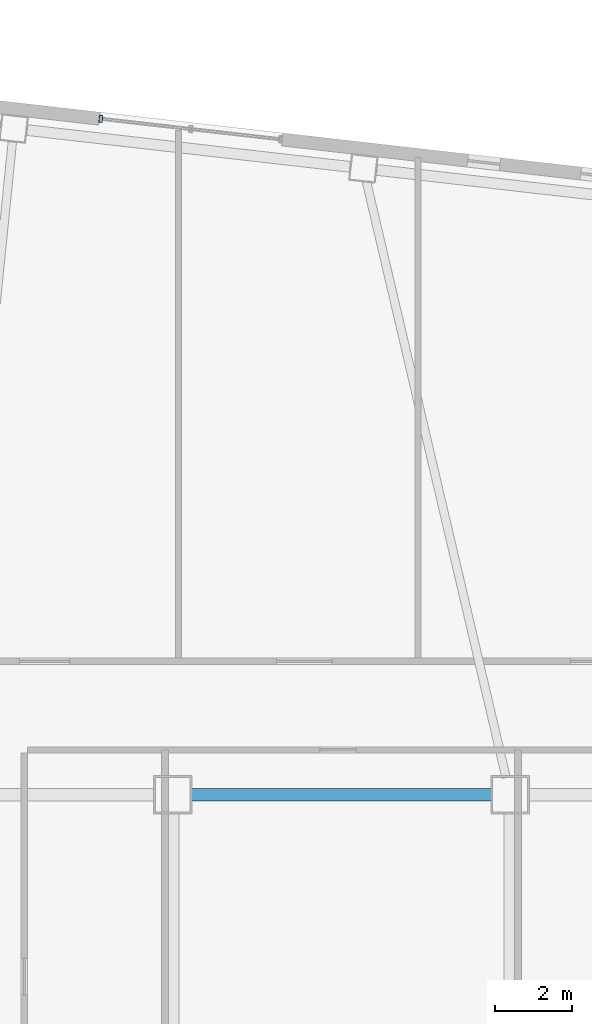
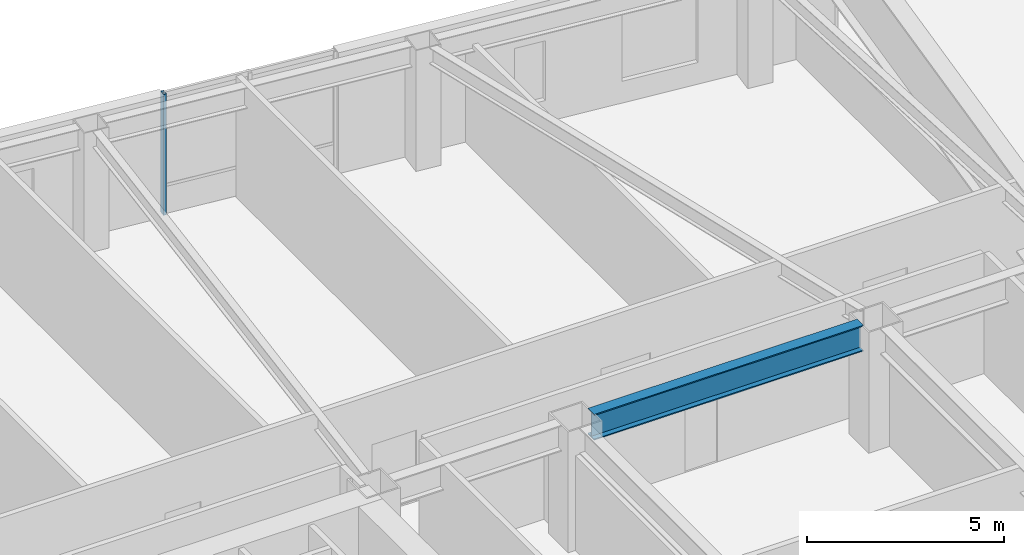
# One storey, part 8 of 23: 1 beam, 1 member, 1 element without a shape of its own.
"""IFC4 building model written with IfcOpenShell, lengths in metres."""

from ifc_helpers import new_model, si_unit, direction, frame, origin, origin_2d, place, context, subcontext, project, spatial, hollow_rectangle, i_section, extrude, material, layer, layer_set, material_profile, profile_set, type_object, element, aggregate, save


model = new_model("IFC4")

# Units and contexts
model_context = context("Model", 3, precision=1e-05, world=origin(), true_north=direction((0.0, 1.0)))
body_context = subcontext(model_context, "Body", "Model", "MODEL_VIEW")
ifc_project = project(units=[si_unit("LENGTHUNIT", "METRE"), si_unit("AREAUNIT", "SQUARE_METRE"), si_unit("VOLUMEUNIT", "CUBIC_METRE"), si_unit("PLANEANGLEUNIT", "RADIAN"), si_unit("MASSUNIT", "GRAM", prefix="KILO")], contexts=[model_context])

# Site, building, storey
site_placement = place(None, origin())
site = spatial("IfcSite", under=ifc_project, at=site_placement, CompositionType="ELEMENT")
building_placement = place(site_placement, origin())
building = spatial("IfcBuilding", under=site, at=building_placement, Name="Tavrogorsk Clinical Tower", CompositionType="ELEMENT")
storey_placement = place(building_placement, frame((0.0, 0.0, 113.39990234375)))
storey = spatial("IfcBuildingStorey", under=building, at=storey_placement, Name="L25", CompositionType="ELEMENT", Elevation=113.39990234375)

# Curtain wall, member
ifc_material_1 = material(Name="Anodised aluminium and triple IGU glazing", Category="aluminium")
ifc_layer = layer(ifc_material_1, 0.179931640625)
ifc_layer_set = layer_set([ifc_layer], Name="Anodised aluminium and triple IGU glazing")
curtain_wall_type = type_object("IfcCurtainWallType", Name="CW2_NorthSlot", PredefinedType="NOTDEFINED", material=ifc_layer_set)
curtain_wall_placement = place(storey_placement, origin())
curtain_wall = element("IfcCurtainWall", 1, at=curtain_wall_placement, inside=storey, type_object=curtain_wall_type, Name="L25 Curtain Wall CW-L25-N-SLOT-1", PredefinedType="NOTDEFINED")
ifc_material_2 = material(Name="Anodised aluminium alloy AW-6060", Category="aluminium")
ifc_material_profile_1 = material_profile(ifc_material_2, hollow_rectangle(XDim=0.090087890625, YDim=0.179931640625, WallThickness=0.00634765625, at=origin_2d()), Name="RHS-180x90x6.3")
ifc_profile_set_1 = profile_set([ifc_material_profile_1], Name="Anodised aluminium alloy AW-6060")
member_type = type_object("IfcMemberType", Name="CwMullion_180x90", PredefinedType="MULLION", material=ifc_profile_set_1)
member_placement = place(storey_placement, frame((-6.273681640625, 23.9775390625, 0.0), z_axis=(0.0, 0.0, 1.0), x_axis=(-0.993571858269, 0.113203191016, 0.0)))
member = element("IfcMember", 2, at=member_placement, type_object=member_type, Name="CW-L25-N-SLOT-1 Mullion 3", PredefinedType="MULLION", context=body_context, shape_type="SweptSolid", body=[
    extrude(hollow_rectangle(XDim=0.090087890625, YDim=0.179931640625, WallThickness=0.00634765625, at=origin_2d()), origin(), (0.0, 0.0, 1.0), 3.739990234375),
])
aggregate(curtain_wall, [member])

# Beam
ifc_material_3 = material(Name="Structural steel S390", Category="steel")
ifc_material_profile_2 = material_profile(ifc_material_3, i_section(OverallWidth=0.320068359375, OverallDepth=0.800048828125, WebThickness=0.02001953125, FlangeThickness=0.033935546875, at=origin_2d()), Name="B-800x320x20x34")
ifc_profile_set_2 = profile_set([ifc_material_profile_2], Name="Structural steel S390")
beam_type = type_object("IfcBeamType", Name="PrimaryGirder_B800", PredefinedType="USERDEFINED", material=ifc_profile_set_2)
beam_placement = place(storey_placement, frame((-3.93994140625, 6.35009765625, 3.340087890625), z_axis=(1.0, 0.0, 0.0), x_axis=(0.0, 1.0, 0.0)))
element("IfcBeam", 3, at=beam_placement, inside=storey, type_object=beam_type, Name="L25 Primary Spine Girder MG-04", ObjectType="GIRDER", PredefinedType="USERDEFINED", context=body_context, shape_type="SweptSolid", body=[
    extrude(i_section(OverallWidth=0.320068359375, OverallDepth=0.800048828125, WebThickness=0.02001953125, FlangeThickness=0.033935546875, at=origin_2d()), origin(), (0.0, 0.0, 1.0), 7.8798828125),
])

save(model, "model.ifc")
